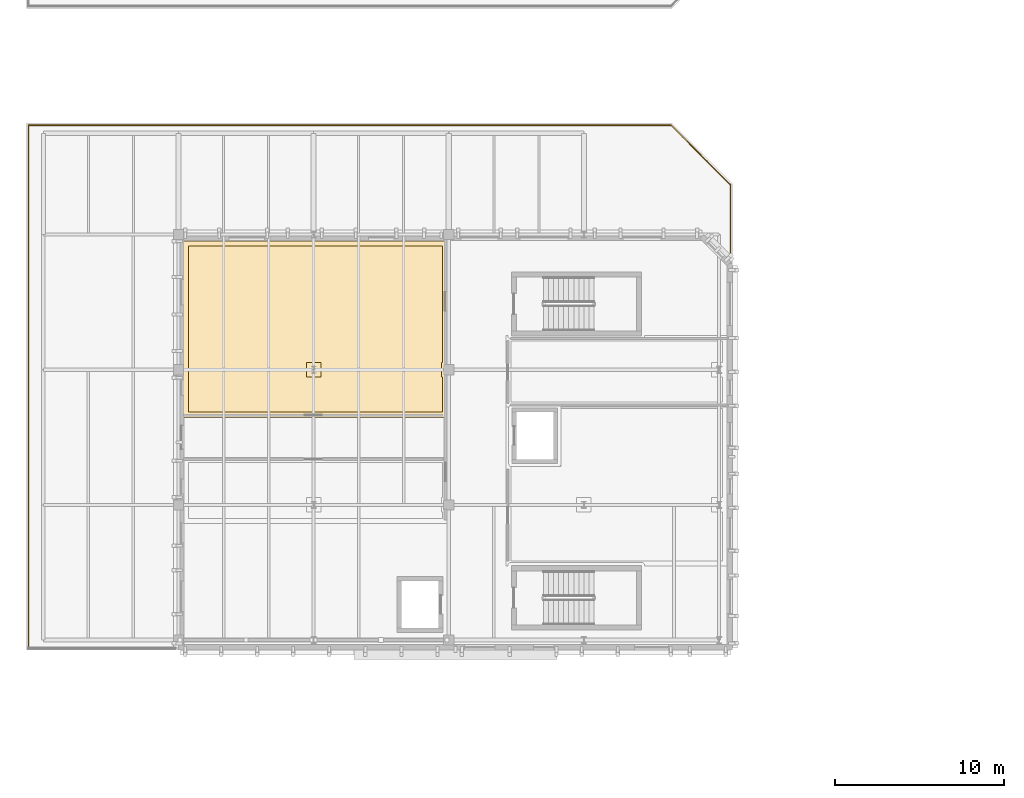
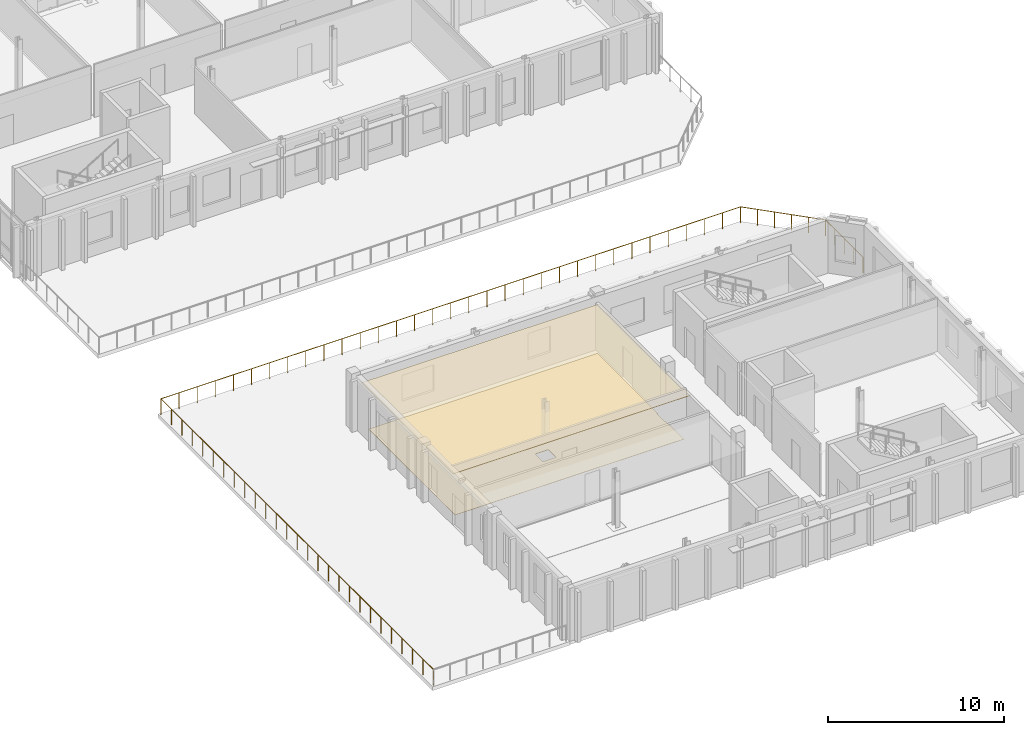
# One storey, part 35 of 43: 2 coverings, 1 railing.
"""IFC4 building model written with IfcOpenShell, lengths in metres."""

from ifc_helpers import new_model, si_unit, direction, frame, origin, origin_2d, place, context, subcontext, project, spatial, polyline, circle, outline, extrude, material, layer, layer_set, type_object, element, save


model = new_model("IFC4")

# Units and contexts
model_context = context("Model", 3, precision=1e-05, world=origin(), true_north=direction((0.0, 1.0)))
body_context = subcontext(model_context, "Body", "Model", "MODEL_VIEW")
ifc_project = project(units=[si_unit("LENGTHUNIT", "METRE"), si_unit("AREAUNIT", "SQUARE_METRE"), si_unit("VOLUMEUNIT", "CUBIC_METRE"), si_unit("PLANEANGLEUNIT", "RADIAN"), si_unit("MASSUNIT", "GRAM", prefix="KILO")], contexts=[model_context])

# Site, building, storey
site_placement = place(None, origin())
site = spatial("IfcSite", under=ifc_project, at=site_placement, CompositionType="ELEMENT")
building_placement = place(site_placement, origin())
building = spatial("IfcBuilding", under=site, at=building_placement, Name="Cymarion Research Institute", CompositionType="ELEMENT")
storey_placement = place(building_placement, frame((0.0, 0.0, 22.800048828125)))
storey = spatial("IfcBuildingStorey", under=building, at=storey_placement, Name="L05", CompositionType="ELEMENT", Elevation=22.800048828125)

# Covering
ifc_material_1 = material(Name="Micro-perforated mineral acoustic ceiling tile", Category="gypsum")
ifc_layer_1 = layer(ifc_material_1, 0.030029296875)
ifc_layer_set_1 = layer_set([ifc_layer_1], Name="Micro-perforated mineral acoustic ceiling tile")
covering_type_1 = type_object("IfcCoveringType", Name="ACOUSTIC MICRO-PERFORATED SUSPENDED CEILING CLG-01", PredefinedType="CEILING", material=ifc_layer_set_1)
covering_1_placement = place(storey_placement, frame((0.0, 0.0, 3.1298828125)))
element("IfcCovering", 1, at=covering_1_placement, inside=storey, type_object=covering_type_1, Name="L05 L05 Biophotonics & Sensor Prototyping Laboratory acoustic ceiling", PredefinedType="CEILING", context=body_context, shape_type="SweptSolid", body=[
    extrude(outline(polyline([(30.514892578125, 63.364990234375), (30.514892578125, 60.68505859375), (14.905029296875, 60.68505859375), (14.905029296875, 71.114990234375), (30.514892578125, 71.114990234375), (30.514892578125, 63.635009765625), (30.465087890625, 63.635009765625), (30.465087890625, 63.364990234375), (30.514892578125, 63.364990234375)])), origin(), (0.0, 0.0, 1.0), 0.030029296875),
])

# Railing
ifc_material_2 = material(Name="Steel S355", Category="steel")
railing_type = type_object("IfcRailingType", Name="LAMINATED GLASS AND STEEL BALUSTRADE BAL1 1120MM", PredefinedType="BALUSTRADE", material=ifc_material_2)
railing_placement = place(storey_placement, frame((5.719970703125, 47.02001953125, 0.0)))
element("IfcRailing", 2, at=railing_placement, inside=storey, type_object=railing_type, Name="L05 V4 roof garden perimeter balustrade #3", PredefinedType="BALUSTRADE", context=body_context, shape_type="SweptSolid", body=[
    extrude(circle(Radius=0.02392578125, at=origin_2d()), frame((0.0, 0.0, 1.09619140625), z_axis=(0.0, 1.0, 0.0), x_axis=(-1.0, 0.0, 0.0)), (0.0, 0.0, 1.0), 30.9599609375),
    extrude(circle(Radius=0.02392578125, at=origin_2d()), frame((0.0, 30.9599609375, 1.09619140625), z_axis=(1.0, 0.0, 0.0), x_axis=(0.0, 1.0, 0.0)), (0.0, 0.0, 1.0), 38.0302734375),
    extrude(circle(Radius=0.02392578125, at=origin_2d()), frame((38.0302734375, 30.9599609375, 1.09619140625), z_axis=(0.707106781187, -0.707106781187, 0.0), x_axis=(0.707106781187, 0.707106781187, 0.0)), (0.0, 0.0, 1.0), 4.991943359375),
    extrude(circle(Radius=0.02392578125, at=origin_2d()), frame((41.56005859375, 27.43017578125, 1.09619140625), z_axis=(0.0, -1.0, 0.0), x_axis=(1.0, 0.0, 0.0)), (0.0, 0.0, 1.0), 4.275634765625),
    extrude(circle(Radius=0.02099609375, at=origin_2d()), origin(), (0.0, 0.0, 1.0), 1.072021484375),
    extrude(circle(Radius=0.02099609375, at=origin_2d()), frame((0.0, 1.190673828125, 0.0)), (0.0, 0.0, 1.0), 1.072021484375),
    extrude(circle(Radius=0.02099609375, at=origin_2d()), frame((0.0, 2.381591796875, 0.0)), (0.0, 0.0, 1.0), 1.072021484375),
    extrude(circle(Radius=0.02099609375, at=origin_2d()), frame((0.0, 3.572265625, 0.0)), (0.0, 0.0, 1.0), 1.072021484375),
    extrude(circle(Radius=0.02099609375, at=origin_2d()), frame((0.0, 4.76318359375, 0.0)), (0.0, 0.0, 1.0), 1.072021484375),
    extrude(circle(Radius=0.02099609375, at=origin_2d()), frame((0.0, 5.953857421875, 0.0)), (0.0, 0.0, 1.0), 1.072021484375),
    extrude(circle(Radius=0.02099609375, at=origin_2d()), frame((0.0, 7.14453125, 0.0)), (0.0, 0.0, 1.0), 1.072021484375),
    extrude(circle(Radius=0.02099609375, at=origin_2d()), frame((0.0, 8.33544921875, 0.0)), (0.0, 0.0, 1.0), 1.072021484375),
    extrude(circle(Radius=0.02099609375, at=origin_2d()), frame((0.0, 9.526123046875, 0.0)), (0.0, 0.0, 1.0), 1.072021484375),
    extrude(circle(Radius=0.02099609375, at=origin_2d()), frame((0.0, 10.716796875, 0.0)), (0.0, 0.0, 1.0), 1.072021484375),
    extrude(circle(Radius=0.02099609375, at=origin_2d()), frame((0.0, 11.90771484375, 0.0)), (0.0, 0.0, 1.0), 1.072021484375),
    extrude(circle(Radius=0.02099609375, at=origin_2d()), frame((0.0, 13.098388671875, 0.0)), (0.0, 0.0, 1.0), 1.072021484375),
    extrude(circle(Radius=0.02099609375, at=origin_2d()), frame((0.0, 14.289306640625, 0.0)), (0.0, 0.0, 1.0), 1.072021484375),
    extrude(circle(Radius=0.02099609375, at=origin_2d()), frame((0.0, 15.47998046875, 0.0)), (0.0, 0.0, 1.0), 1.072021484375),
    extrude(circle(Radius=0.02099609375, at=origin_2d()), frame((0.0, 16.670654296875, 0.0)), (0.0, 0.0, 1.0), 1.072021484375),
    extrude(circle(Radius=0.02099609375, at=origin_2d()), frame((0.0, 17.861572265625, 0.0)), (0.0, 0.0, 1.0), 1.072021484375),
    extrude(circle(Radius=0.02099609375, at=origin_2d()), frame((0.0, 19.05224609375, 0.0)), (0.0, 0.0, 1.0), 1.072021484375),
    extrude(circle(Radius=0.02099609375, at=origin_2d()), frame((0.0, 20.2431640625, 0.0)), (0.0, 0.0, 1.0), 1.072021484375),
    extrude(circle(Radius=0.02099609375, at=origin_2d()), frame((0.0, 21.433837890625, 0.0)), (0.0, 0.0, 1.0), 1.072021484375),
    extrude(circle(Radius=0.02099609375, at=origin_2d()), frame((0.0, 22.62451171875, 0.0)), (0.0, 0.0, 1.0), 1.072021484375),
    extrude(circle(Radius=0.02099609375, at=origin_2d()), frame((0.0, 23.8154296875, 0.0)), (0.0, 0.0, 1.0), 1.072021484375),
    extrude(circle(Radius=0.02099609375, at=origin_2d()), frame((0.0, 25.006103515625, 0.0)), (0.0, 0.0, 1.0), 1.072021484375),
    extrude(circle(Radius=0.02099609375, at=origin_2d()), frame((0.0, 26.19677734375, 0.0)), (0.0, 0.0, 1.0), 1.072021484375),
    extrude(circle(Radius=0.02099609375, at=origin_2d()), frame((0.0, 27.3876953125, 0.0)), (0.0, 0.0, 1.0), 1.072021484375),
    extrude(circle(Radius=0.02099609375, at=origin_2d()), frame((0.0, 28.578369140625, 0.0)), (0.0, 0.0, 1.0), 1.072021484375),
    extrude(circle(Radius=0.02099609375, at=origin_2d()), frame((0.0, 29.769287109375, 0.0)), (0.0, 0.0, 1.0), 1.072021484375),
    extrude(circle(Radius=0.02099609375, at=origin_2d()), frame((0.0, 30.9599609375, 0.0)), (0.0, 0.0, 1.0), 1.072021484375),
    extrude(circle(Radius=0.02099609375, at=origin_2d()), frame((1.1884765625, 30.9599609375, 0.0)), (0.0, 0.0, 1.0), 1.072021484375),
    extrude(circle(Radius=0.02099609375, at=origin_2d()), frame((2.376953125, 30.9599609375, 0.0)), (0.0, 0.0, 1.0), 1.072021484375),
    extrude(circle(Radius=0.02099609375, at=origin_2d()), frame((3.5654296875, 30.9599609375, 0.0)), (0.0, 0.0, 1.0), 1.072021484375),
    extrude(circle(Radius=0.02099609375, at=origin_2d()), frame((4.75390625, 30.9599609375, 0.0)), (0.0, 0.0, 1.0), 1.072021484375),
    extrude(circle(Radius=0.02099609375, at=origin_2d()), frame((5.942138671875, 30.9599609375, 0.0)), (0.0, 0.0, 1.0), 1.072021484375),
    extrude(circle(Radius=0.02099609375, at=origin_2d()), frame((7.130615234375, 30.9599609375, 0.0)), (0.0, 0.0, 1.0), 1.072021484375),
    extrude(circle(Radius=0.02099609375, at=origin_2d()), frame((8.319091796875, 30.9599609375, 0.0)), (0.0, 0.0, 1.0), 1.072021484375),
    extrude(circle(Radius=0.02099609375, at=origin_2d()), frame((9.507568359375, 30.9599609375, 0.0)), (0.0, 0.0, 1.0), 1.072021484375),
    extrude(circle(Radius=0.02099609375, at=origin_2d()), frame((10.696044921875, 30.9599609375, 0.0)), (0.0, 0.0, 1.0), 1.072021484375),
    extrude(circle(Radius=0.02099609375, at=origin_2d()), frame((11.884521484375, 30.9599609375, 0.0)), (0.0, 0.0, 1.0), 1.072021484375),
    extrude(circle(Radius=0.02099609375, at=origin_2d()), frame((13.072998046875, 30.9599609375, 0.0)), (0.0, 0.0, 1.0), 1.072021484375),
    extrude(circle(Radius=0.02099609375, at=origin_2d()), frame((14.26123046875, 30.9599609375, 0.0)), (0.0, 0.0, 1.0), 1.072021484375),
    extrude(circle(Radius=0.02099609375, at=origin_2d()), frame((15.44970703125, 30.9599609375, 0.0)), (0.0, 0.0, 1.0), 1.072021484375),
    extrude(circle(Radius=0.02099609375, at=origin_2d()), frame((16.63818359375, 30.9599609375, 0.0)), (0.0, 0.0, 1.0), 1.072021484375),
    extrude(circle(Radius=0.02099609375, at=origin_2d()), frame((17.82666015625, 30.9599609375, 0.0)), (0.0, 0.0, 1.0), 1.072021484375),
    extrude(circle(Radius=0.02099609375, at=origin_2d()), frame((19.01513671875, 30.9599609375, 0.0)), (0.0, 0.0, 1.0), 1.072021484375),
    extrude(circle(Radius=0.02099609375, at=origin_2d()), frame((20.20361328125, 30.9599609375, 0.0)), (0.0, 0.0, 1.0), 1.072021484375),
    extrude(circle(Radius=0.02099609375, at=origin_2d()), frame((21.39208984375, 30.9599609375, 0.0)), (0.0, 0.0, 1.0), 1.072021484375),
    extrude(circle(Radius=0.02099609375, at=origin_2d()), frame((22.58056640625, 30.9599609375, 0.0)), (0.0, 0.0, 1.0), 1.072021484375),
    extrude(circle(Radius=0.02099609375, at=origin_2d()), frame((23.76904296875, 30.9599609375, 0.0)), (0.0, 0.0, 1.0), 1.072021484375),
    extrude(circle(Radius=0.02099609375, at=origin_2d()), frame((24.957275390625, 30.9599609375, 0.0)), (0.0, 0.0, 1.0), 1.072021484375),
    extrude(circle(Radius=0.02099609375, at=origin_2d()), frame((26.145751953125, 30.9599609375, 0.0)), (0.0, 0.0, 1.0), 1.072021484375),
    extrude(circle(Radius=0.02099609375, at=origin_2d()), frame((27.334228515625, 30.9599609375, 0.0)), (0.0, 0.0, 1.0), 1.072021484375),
    extrude(circle(Radius=0.02099609375, at=origin_2d()), frame((28.522705078125, 30.9599609375, 0.0)), (0.0, 0.0, 1.0), 1.072021484375),
    extrude(circle(Radius=0.02099609375, at=origin_2d()), frame((29.711181640625, 30.9599609375, 0.0)), (0.0, 0.0, 1.0), 1.072021484375),
    extrude(circle(Radius=0.02099609375, at=origin_2d()), frame((30.899658203125, 30.9599609375, 0.0)), (0.0, 0.0, 1.0), 1.072021484375),
    extrude(circle(Radius=0.02099609375, at=origin_2d()), frame((32.088134765625, 30.9599609375, 0.0)), (0.0, 0.0, 1.0), 1.072021484375),
    extrude(circle(Radius=0.02099609375, at=origin_2d()), frame((33.2763671875, 30.9599609375, 0.0)), (0.0, 0.0, 1.0), 1.072021484375),
    extrude(circle(Radius=0.02099609375, at=origin_2d()), frame((34.46484375, 30.9599609375, 0.0)), (0.0, 0.0, 1.0), 1.072021484375),
    extrude(circle(Radius=0.02099609375, at=origin_2d()), frame((35.6533203125, 30.9599609375, 0.0)), (0.0, 0.0, 1.0), 1.072021484375),
    extrude(circle(Radius=0.02099609375, at=origin_2d()), frame((36.841796875, 30.9599609375, 0.0)), (0.0, 0.0, 1.0), 1.072021484375),
    extrude(circle(Radius=0.02099609375, at=origin_2d()), frame((38.0302734375, 30.9599609375, 0.0)), (0.0, 0.0, 1.0), 1.072021484375),
    extrude(circle(Radius=0.02099609375, at=origin_2d()), frame((38.736328125, 30.25390625, 0.0)), (0.0, 0.0, 1.0), 1.072021484375),
    extrude(circle(Radius=0.02099609375, at=origin_2d()), frame((39.442138671875, 29.548095703125, 0.0)), (0.0, 0.0, 1.0), 1.072021484375),
    extrude(circle(Radius=0.02099609375, at=origin_2d()), frame((40.148193359375, 28.842041015625, 0.0)), (0.0, 0.0, 1.0), 1.072021484375),
    extrude(circle(Radius=0.02099609375, at=origin_2d()), frame((40.85400390625, 28.13623046875, 0.0)), (0.0, 0.0, 1.0), 1.072021484375),
    extrude(circle(Radius=0.02099609375, at=origin_2d()), frame((41.56005859375, 27.43017578125, 0.0)), (0.0, 0.0, 1.0), 1.072021484375),
    extrude(circle(Radius=0.02099609375, at=origin_2d()), frame((41.56005859375, 26.361328125, 0.0)), (0.0, 0.0, 1.0), 1.072021484375),
    extrude(circle(Radius=0.02099609375, at=origin_2d()), frame((41.56005859375, 25.29248046875, 0.0)), (0.0, 0.0, 1.0), 1.072021484375),
    extrude(circle(Radius=0.02099609375, at=origin_2d()), frame((41.56005859375, 24.223388671875, 0.0)), (0.0, 0.0, 1.0), 1.072021484375),
    extrude(circle(Radius=0.02099609375, at=origin_2d()), frame((41.56005859375, 23.154541015625, 0.0)), (0.0, 0.0, 1.0), 1.072021484375),
])

# Covering
ifc_material_3 = material(Name="Seamless dissipative epoxy resin flooring", Category="resin")
ifc_layer_2 = layer(ifc_material_3, 0.02001953125)
ifc_layer_set_2 = layer_set([ifc_layer_2], Name="Seamless dissipative epoxy resin flooring")
covering_type_2 = type_object("IfcCoveringType", Name="SEAMLESS ESD EPOXY LABORATORY FLOORING FLR-01", PredefinedType="FLOORING", material=ifc_layer_set_2)
covering_2_placement = place(storey_placement, origin())
element("IfcCovering", 3, at=covering_2_placement, inside=storey, type_object=covering_type_2, Name="L05 L05 Biophotonics & Sensor Prototyping Laboratory ESD epoxy flooring", PredefinedType="FLOORING", context=body_context, shape_type="SweptSolid", body=[
    extrude(outline(polyline([(30.215087890625, 63.06494140625), (30.215087890625, 60.985107421875), (15.205078125, 60.985107421875), (15.205078125, 70.81494140625), (30.215087890625, 70.81494140625), (30.215087890625, 63.93505859375), (30.1650390625, 63.93505859375), (30.1650390625, 63.06494140625), (30.215087890625, 63.06494140625)]), holes=[polyline([(22.1650390625, 63.93505859375), (22.1650390625, 63.06494140625), (23.034912109375, 63.06494140625), (23.034912109375, 63.93505859375), (22.1650390625, 63.93505859375)])]), origin(), (0.0, 0.0, 1.0), 0.02001953125),
])

save(model, "model.ifc")
